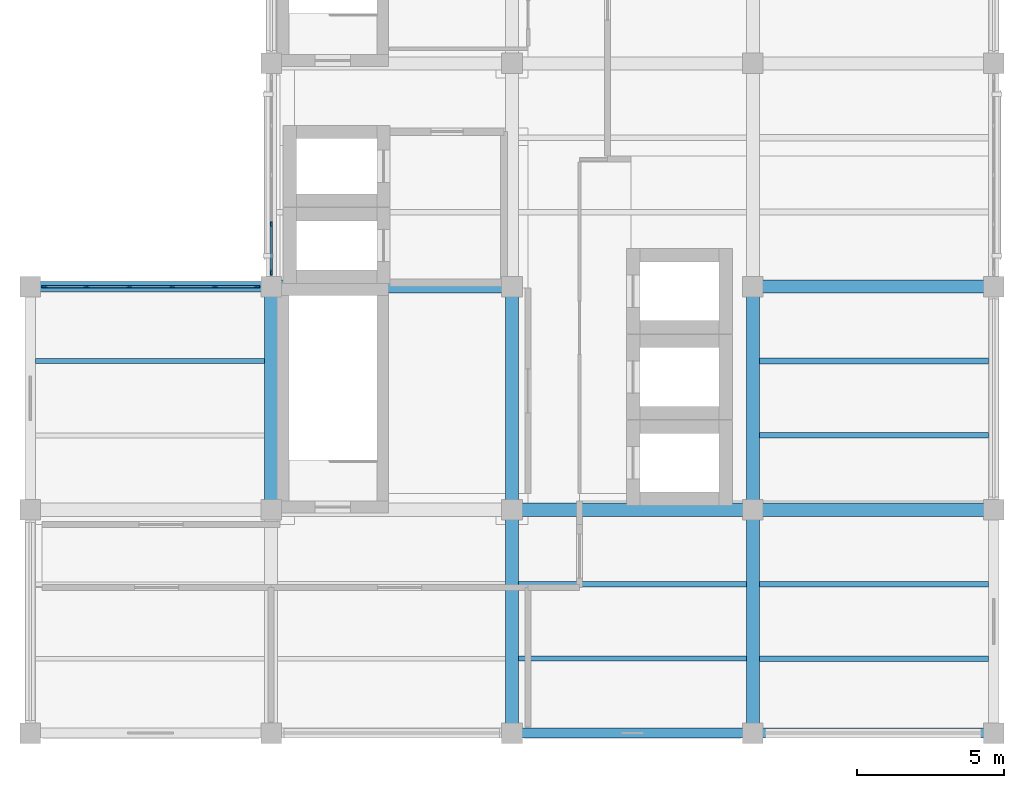
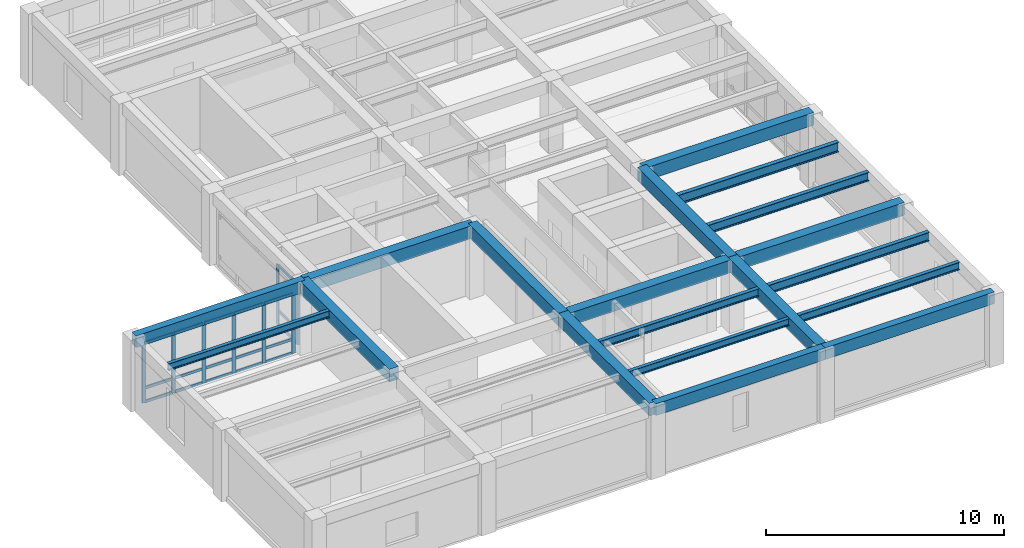
# One storey, part 2 of 8: 26 members, 19 beams, 2 elements without a shape of their own.
"""IFC4 building model written with IfcOpenShell, lengths in metres."""

from ifc_helpers import new_model, si_unit, direction, frame, origin, origin_2d, place, context, subcontext, project, spatial, rectangle, i_section, extrude, material, material_profile, profile_set, type_object, element, aggregate, save


model = new_model("IFC4")

# Units and contexts
model_context = context("Model", 3, precision=1e-05, world=origin(), true_north=direction((0.0, 1.0)))
body_context = subcontext(model_context, "Body", "Model", "MODEL_VIEW")
ifc_project = project(units=[si_unit("LENGTHUNIT", "METRE"), si_unit("AREAUNIT", "SQUARE_METRE"), si_unit("VOLUMEUNIT", "CUBIC_METRE"), si_unit("PLANEANGLEUNIT", "RADIAN"), si_unit("MASSUNIT", "GRAM", prefix="KILO")], contexts=[model_context])

# Site, building, storey
site_placement = place(None, origin())
site = spatial("IfcSite", under=ifc_project, at=site_placement, CompositionType="ELEMENT")
building_placement = place(site_placement, origin())
building = spatial("IfcBuilding", under=site, at=building_placement, Name="Qandaris Square Conservatory and Botanical Centre", CompositionType="ELEMENT")
storey_placement = place(building_placement, frame((0.0, 0.0, 70.199951171875)))
storey = spatial("IfcBuildingStorey", under=building, at=storey_placement, Name="L16", CompositionType="ELEMENT", Elevation=70.199951171875)

# Beams
ifc_material_1 = material(Name="Steel S355", Category="steel")
ifc_material_profile_1 = material_profile(ifc_material_1, i_section(OverallWidth=0.18994140625, OverallDepth=0.449951171875, WebThickness=0.009521484375, FlangeThickness=0.0146484375, FilletRadius=0.02099609375, at=origin_2d()), Name="IPE 450")
ifc_profile_set_1 = profile_set([ifc_material_profile_1], Name="Steel S355")
beam_type_1 = type_object("IfcBeamType", Name="Composite Archive Joist IPE 450", PredefinedType="JOIST", material=ifc_profile_set_1)
for number, where, z_axis, x_axis, name in (
    (1, (155.824951171875, 21.666748046875, 3.43505859375), (1.0, 0.0, 0.0), (0.0, 1.0, 0.0), "L16 Composite Joist 3033"),
    (2, (155.824951171875, 26.7333984375, 3.43505859375), (1.0, 0.0, 0.0), (0.0, 1.0, 0.0), "L16 Composite Joist 3034"),
):
    element("IfcBeam", number, at=place(storey_placement, frame(where, z_axis=z_axis, x_axis=x_axis)), inside=storey, type_object=beam_type_1, Name=name, PredefinedType="JOIST", context=body_context, shape_type="SweptSolid", body=[
        extrude(i_section(OverallWidth=0.18994140625, OverallDepth=0.449951171875, WebThickness=0.009521484375, FlangeThickness=0.0146484375, FilletRadius=0.02099609375, at=origin_2d()), origin(), (0.0, 0.0, 1.0), 7.800048828125),
    ])
ifc_material_profile_2 = material_profile(ifc_material_1, i_section(OverallWidth=0.199951171875, OverallDepth=0.5, WebThickness=0.01025390625, FlangeThickness=0.01611328125, FilletRadius=0.02099609375, at=origin_2d()), Name="IPE 500")
ifc_profile_set_2 = profile_set([ifc_material_profile_2], Name="Steel S355")
beam_type_2 = type_object("IfcBeamType", Name="Composite Gallery Joist IPE 500", PredefinedType="JOIST", material=ifc_profile_set_2)
beam_1_placement = place(storey_placement, frame((155.824951171875, 29.2666015625, 3.41015625), z_axis=(1.0, 0.0, 0.0), x_axis=(0.0, 1.0, 0.0)))
element("IfcBeam", 3, at=beam_1_placement, inside=storey, type_object=beam_type_2, Name="L16 Composite Joist 3035", PredefinedType="JOIST", context=body_context, shape_type="SweptSolid", body=[
    extrude(i_section(OverallWidth=0.199951171875, OverallDepth=0.5, WebThickness=0.01025390625, FlangeThickness=0.01611328125, FilletRadius=0.02099609375, at=origin_2d()), origin(), (0.0, 0.0, 1.0), 7.800048828125),
])
ifc_material_profile_3 = material_profile(ifc_material_1, i_section(OverallWidth=0.169921875, OverallDepth=0.360107421875, WebThickness=0.008056640625, FlangeThickness=0.0126953125, FilletRadius=0.01806640625, at=origin_2d()), Name="IPE 360")
ifc_profile_set_3 = profile_set([ifc_material_profile_3], Name="Steel S355")
beam_type_3 = type_object("IfcBeamType", Name="Composite Lab Joist IPE 360", PredefinedType="JOIST", material=ifc_profile_set_3)
beam_2_placement = place(storey_placement, frame((131.175048828125, 29.2666015625, 3.47998046875), z_axis=(1.0, 0.0, 0.0), x_axis=(0.0, 1.0, 0.0)))
element("IfcBeam", 4, at=beam_2_placement, inside=storey, type_object=beam_type_3, Name="L16 Composite Joist 3018", PredefinedType="JOIST", context=body_context, shape_type="SweptSolid", body=[
    extrude(i_section(OverallWidth=0.169921875, OverallDepth=0.360107421875, WebThickness=0.008056640625, FlangeThickness=0.0126953125, FilletRadius=0.01806640625, at=origin_2d()), origin(), (0.0, 0.0, 1.0), 7.800048828125),
])
beam_3_placement = place(storey_placement, frame((147.625, 19.13330078125, 3.47998046875), z_axis=(1.0, 0.0, 0.0), x_axis=(0.0, 1.0, 0.0)))
element("IfcBeam", 5, at=beam_3_placement, inside=storey, type_object=beam_type_3, Name="L16 Composite Joist 3024", PredefinedType="JOIST", context=body_context, shape_type="SweptSolid", body=[
    extrude(i_section(OverallWidth=0.169921875, OverallDepth=0.360107421875, WebThickness=0.008056640625, FlangeThickness=0.0126953125, FilletRadius=0.01806640625, at=origin_2d()), origin(), (0.0, 0.0, 1.0), 7.75),
])
ifc_material_profile_4 = material_profile(ifc_material_1, i_section(OverallWidth=0.179931640625, OverallDepth=0.39990234375, WebThickness=0.008544921875, FlangeThickness=0.013427734375, FilletRadius=0.02099609375, at=origin_2d()), Name="IPE 400")
ifc_profile_set_4 = profile_set([ifc_material_profile_4], Name="Steel S355")
beam_type_4 = type_object("IfcBeamType", Name="Composite Plinth Joist IPE 400", PredefinedType="JOIST", material=ifc_profile_set_4)
beam_4_placement = place(storey_placement, frame((147.625, 21.666748046875, 3.4599609375), z_axis=(1.0, 0.0, 0.0), x_axis=(0.0, 1.0, 0.0)))
element("IfcBeam", 6, at=beam_4_placement, inside=storey, type_object=beam_type_4, Name="L16 Composite Joist 3025", PredefinedType="JOIST", context=body_context, shape_type="SweptSolid", body=[
    extrude(i_section(OverallWidth=0.179931640625, OverallDepth=0.39990234375, WebThickness=0.008544921875, FlangeThickness=0.013427734375, FilletRadius=0.02099609375, at=origin_2d()), origin(), (0.0, 0.0, 1.0), 7.75),
])
beam_5_placement = place(storey_placement, frame((155.824951171875, 19.13330078125, 3.4599609375), z_axis=(1.0, 0.0, 0.0), x_axis=(0.0, 1.0, 0.0)))
element("IfcBeam", 7, at=beam_5_placement, inside=storey, type_object=beam_type_4, Name="L16 Composite Joist 3032", PredefinedType="JOIST", context=body_context, shape_type="SweptSolid", body=[
    extrude(i_section(OverallWidth=0.179931640625, OverallDepth=0.39990234375, WebThickness=0.008544921875, FlangeThickness=0.013427734375, FilletRadius=0.02099609375, at=origin_2d()), origin(), (0.0, 0.0, 1.0), 7.800048828125),
])

# Curtain wall, members
ifc_material_2 = material(Name="Anodised Aluminium", Category="aluminium")
curtain_wall_type_1 = type_object("IfcCurtainWallType", Name="Unitised Curtain Wall CW-4-670x307", PredefinedType="USERDEFINED", material=ifc_material_2)
curtain_wall_1_placement = place(storey_placement, origin())
curtain_wall_1 = element("IfcCurtainWall", 8, at=curtain_wall_1_placement, inside=storey, type_object=curtain_wall_type_1, Name="Curtain Wall CW-TWR-L16-4-3", ObjectType="GLAZED CURTAIN WALL", PredefinedType="USERDEFINED")
ifc_material_profile_5 = material_profile(ifc_material_2, rectangle(XDim=0.06494140625, YDim=0.179931640625, at=origin_2d()), Name="ALU-MUL 65x180")
ifc_profile_set_5 = profile_set([ifc_material_profile_5], Name="Anodised Aluminium")
member_type_1 = type_object("IfcMemberType", Name="Curtain Wall Mullion 65x180", PredefinedType="MULLION", material=ifc_profile_set_5)
member_1_placement = place(storey_placement, frame((139.199951171875, 33.925048828125, 0.0), z_axis=(0.0, 0.0, 1.0), x_axis=(1.0, 0.0, 0.0)))
member_1 = element("IfcMember", 9, at=member_1_placement, type_object=member_type_1, Name="CW-4-670x307 mullion 4", PredefinedType="MULLION", context=body_context, shape_type="SweptSolid", body=[
    extrude(rectangle(XDim=0.06494140625, YDim=0.179931640625, at=origin_2d()), origin(), (0.0, 0.0, 1.0), 3.070068359375),
])
member_2_placement = place(storey_placement, frame((139.199951171875, 32.282470703125, 0.0), z_axis=(0.0, 0.0, 1.0), x_axis=(1.0, 0.0, 0.0)))
member_2 = element("IfcMember", 10, at=member_2_placement, type_object=member_type_1, Name="CW-4-670x307 mullion 5", PredefinedType="MULLION", context=body_context, shape_type="SweptSolid", body=[
    extrude(rectangle(XDim=0.06494140625, YDim=0.179931640625, at=origin_2d()), origin(), (0.0, 0.0, 1.0), 3.070068359375),
])

curtain_wall_type_2 = type_object("IfcCurtainWallType", Name="Unitised Curtain Wall CW-4-730x307", PredefinedType="USERDEFINED", material=ifc_material_2)
curtain_wall_2_placement = place(storey_placement, origin())
curtain_wall_2 = element("IfcCurtainWall", 11, at=curtain_wall_2_placement, inside=storey, type_object=curtain_wall_type_2, Name="Curtain Wall CW-TWR-L16-5-1", ObjectType="GLAZED CURTAIN WALL", PredefinedType="USERDEFINED")
member_3_placement = place(storey_placement, frame((138.717529296875, 31.800048828125, 0.0), z_axis=(0.0, 0.0, 1.0), x_axis=(0.0, -1.0, 0.0)))
member_3 = element("IfcMember", 12, at=member_3_placement, type_object=member_type_1, Name="CW-4-730x307 mullion 1", PredefinedType="MULLION", context=body_context, shape_type="SweptSolid", body=[
    extrude(rectangle(XDim=0.06494140625, YDim=0.179931640625, at=origin_2d()), origin(), (0.0, 0.0, 1.0), 3.070068359375),
])
member_4_placement = place(storey_placement, frame((137.2900390625, 31.800048828125, 0.0), z_axis=(0.0, 0.0, 1.0), x_axis=(0.0, -1.0, 0.0)))
member_4 = element("IfcMember", 13, at=member_4_placement, type_object=member_type_1, Name="CW-4-730x307 mullion 2", PredefinedType="MULLION", context=body_context, shape_type="SweptSolid", body=[
    extrude(rectangle(XDim=0.06494140625, YDim=0.179931640625, at=origin_2d()), origin(), (0.0, 0.0, 1.0), 3.070068359375),
])
member_5_placement = place(storey_placement, frame((135.830078125, 31.800048828125, 0.0), z_axis=(0.0, 0.0, 1.0), x_axis=(0.0, -1.0, 0.0)))
member_5 = element("IfcMember", 14, at=member_5_placement, type_object=member_type_1, Name="CW-4-730x307 mullion 3", PredefinedType="MULLION", context=body_context, shape_type="SweptSolid", body=[
    extrude(rectangle(XDim=0.06494140625, YDim=0.179931640625, at=origin_2d()), origin(), (0.0, 0.0, 1.0), 3.070068359375),
])
member_6_placement = place(storey_placement, frame((134.3701171875, 31.800048828125, 0.0), z_axis=(0.0, 0.0, 1.0), x_axis=(0.0, -1.0, 0.0)))
member_6 = element("IfcMember", 15, at=member_6_placement, type_object=member_type_1, Name="CW-4-730x307 mullion 4", PredefinedType="MULLION", context=body_context, shape_type="SweptSolid", body=[
    extrude(rectangle(XDim=0.06494140625, YDim=0.179931640625, at=origin_2d()), origin(), (0.0, 0.0, 1.0), 3.070068359375),
])
member_7_placement = place(storey_placement, frame((132.909912109375, 31.800048828125, 0.0), z_axis=(0.0, 0.0, 1.0), x_axis=(0.0, -1.0, 0.0)))
member_7 = element("IfcMember", 16, at=member_7_placement, type_object=member_type_1, Name="CW-4-730x307 mullion 5", PredefinedType="MULLION", context=body_context, shape_type="SweptSolid", body=[
    extrude(rectangle(XDim=0.06494140625, YDim=0.179931640625, at=origin_2d()), origin(), (0.0, 0.0, 1.0), 3.070068359375),
])
member_8_placement = place(storey_placement, frame((131.482421875, 31.800048828125, 0.0), z_axis=(0.0, 0.0, 1.0), x_axis=(0.0, -1.0, 0.0)))
member_8 = element("IfcMember", 17, at=member_8_placement, type_object=member_type_1, Name="CW-4-730x307 mullion 6", PredefinedType="MULLION", context=body_context, shape_type="SweptSolid", body=[
    extrude(rectangle(XDim=0.06494140625, YDim=0.179931640625, at=origin_2d()), origin(), (0.0, 0.0, 1.0), 3.070068359375),
])

# Member
ifc_material_profile_6 = material_profile(ifc_material_2, rectangle(XDim=0.06494140625, YDim=0.139892578125, at=origin_2d()), Name="ALU-TRN 65x140")
ifc_profile_set_6 = profile_set([ifc_material_profile_6], Name="Anodised Aluminium")
member_type_2 = type_object("IfcMemberType", Name="Curtain Wall Transom 65x140", PredefinedType="USERDEFINED", material=ifc_profile_set_6)
member_9_placement = place(storey_placement, frame((139.199951171875, 33.892578125, 0.032470703125), z_axis=(0.0, -1.0, 0.0), x_axis=(1.0, 0.0, 0.0)))
member_9 = element("IfcMember", 18, at=member_9_placement, type_object=member_type_2, Name="CW-4-670x307 transom 4.1", ObjectType="TRANSOM", PredefinedType="USERDEFINED", context=body_context, shape_type="SweptSolid", body=[
    extrude(rectangle(XDim=0.06494140625, YDim=0.139892578125, at=origin_2d()), origin(), (0.0, 0.0, 1.0), 1.57763671875),
])

member_10_placement = place(storey_placement, frame((139.199951171875, 33.892578125, 0.73681640625), z_axis=(0.0, -1.0, 0.0), x_axis=(1.0, 0.0, 0.0)))
member_10 = element("IfcMember", 19, at=member_10_placement, type_object=member_type_2, Name="CW-4-670x307 transom 4.2", ObjectType="TRANSOM", PredefinedType="USERDEFINED", context=body_context, shape_type="SweptSolid", body=[
    extrude(rectangle(XDim=0.06494140625, YDim=0.139892578125, at=origin_2d()), origin(), (0.0, 0.0, 1.0), 1.57763671875),
])

member_11_placement = place(storey_placement, frame((139.199951171875, 33.892578125, 3.03759765625), z_axis=(0.0, -1.0, 0.0), x_axis=(1.0, 0.0, 0.0)))
member_11 = element("IfcMember", 20, at=member_11_placement, type_object=member_type_2, Name="CW-4-670x307 transom 4.3", ObjectType="TRANSOM", PredefinedType="USERDEFINED", context=body_context, shape_type="SweptSolid", body=[
    extrude(rectangle(XDim=0.06494140625, YDim=0.139892578125, at=origin_2d()), origin(), (0.0, 0.0, 1.0), 1.57763671875),
])

aggregate(curtain_wall_1, [member_1, member_2, member_9, member_10, member_11])

member_12_placement = place(storey_placement, frame((138.68505859375, 31.800048828125, 0.032470703125), z_axis=(-1.0, 0.0, 0.0), x_axis=(0.0, -1.0, 0.0)))
member_12 = element("IfcMember", 21, at=member_12_placement, type_object=member_type_2, Name="CW-4-730x307 transom 1.1", ObjectType="TRANSOM", PredefinedType="USERDEFINED", context=body_context, shape_type="SweptSolid", body=[
    extrude(rectangle(XDim=0.06494140625, YDim=0.139892578125, at=origin_2d()), origin(), (0.0, 0.0, 1.0), 1.362548828125),
])

member_13_placement = place(storey_placement, frame((138.68505859375, 31.800048828125, 0.73681640625), z_axis=(-1.0, 0.0, 0.0), x_axis=(0.0, -1.0, 0.0)))
member_13 = element("IfcMember", 22, at=member_13_placement, type_object=member_type_2, Name="CW-4-730x307 transom 1.2", ObjectType="TRANSOM", PredefinedType="USERDEFINED", context=body_context, shape_type="SweptSolid", body=[
    extrude(rectangle(XDim=0.06494140625, YDim=0.139892578125, at=origin_2d()), origin(), (0.0, 0.0, 1.0), 1.362548828125),
])

member_14_placement = place(storey_placement, frame((138.68505859375, 31.800048828125, 3.03759765625), z_axis=(-1.0, 0.0, 0.0), x_axis=(0.0, -1.0, 0.0)))
member_14 = element("IfcMember", 23, at=member_14_placement, type_object=member_type_2, Name="CW-4-730x307 transom 1.3", ObjectType="TRANSOM", PredefinedType="USERDEFINED", context=body_context, shape_type="SweptSolid", body=[
    extrude(rectangle(XDim=0.06494140625, YDim=0.139892578125, at=origin_2d()), origin(), (0.0, 0.0, 1.0), 1.362548828125),
])

member_15_placement = place(storey_placement, frame((137.257568359375, 31.800048828125, 0.032470703125), z_axis=(-1.0, 0.0, 0.0), x_axis=(0.0, -1.0, 0.0)))
member_15 = element("IfcMember", 24, at=member_15_placement, type_object=member_type_2, Name="CW-4-730x307 transom 2.1", ObjectType="TRANSOM", PredefinedType="USERDEFINED", context=body_context, shape_type="SweptSolid", body=[
    extrude(rectangle(XDim=0.06494140625, YDim=0.139892578125, at=origin_2d()), origin(), (0.0, 0.0, 1.0), 1.39501953125),
])

member_16_placement = place(storey_placement, frame((137.257568359375, 31.800048828125, 0.73681640625), z_axis=(-1.0, 0.0, 0.0), x_axis=(0.0, -1.0, 0.0)))
member_16 = element("IfcMember", 25, at=member_16_placement, type_object=member_type_2, Name="CW-4-730x307 transom 2.2", ObjectType="TRANSOM", PredefinedType="USERDEFINED", context=body_context, shape_type="SweptSolid", body=[
    extrude(rectangle(XDim=0.06494140625, YDim=0.139892578125, at=origin_2d()), origin(), (0.0, 0.0, 1.0), 1.39501953125),
])

member_17_placement = place(storey_placement, frame((137.257568359375, 31.800048828125, 3.03759765625), z_axis=(-1.0, 0.0, 0.0), x_axis=(0.0, -1.0, 0.0)))
member_17 = element("IfcMember", 26, at=member_17_placement, type_object=member_type_2, Name="CW-4-730x307 transom 2.3", ObjectType="TRANSOM", PredefinedType="USERDEFINED", context=body_context, shape_type="SweptSolid", body=[
    extrude(rectangle(XDim=0.06494140625, YDim=0.139892578125, at=origin_2d()), origin(), (0.0, 0.0, 1.0), 1.39501953125),
])

member_18_placement = place(storey_placement, frame((135.797607421875, 31.800048828125, 0.032470703125), z_axis=(-1.0, 0.0, 0.0), x_axis=(0.0, -1.0, 0.0)))
member_18 = element("IfcMember", 27, at=member_18_placement, type_object=member_type_2, Name="CW-4-730x307 transom 3.1", ObjectType="TRANSOM", PredefinedType="USERDEFINED", context=body_context, shape_type="SweptSolid", body=[
    extrude(rectangle(XDim=0.06494140625, YDim=0.139892578125, at=origin_2d()), origin(), (0.0, 0.0, 1.0), 1.39501953125),
])

member_19_placement = place(storey_placement, frame((135.797607421875, 31.800048828125, 0.73681640625), z_axis=(-1.0, 0.0, 0.0), x_axis=(0.0, -1.0, 0.0)))
member_19 = element("IfcMember", 28, at=member_19_placement, type_object=member_type_2, Name="CW-4-730x307 transom 3.2", ObjectType="TRANSOM", PredefinedType="USERDEFINED", context=body_context, shape_type="SweptSolid", body=[
    extrude(rectangle(XDim=0.06494140625, YDim=0.139892578125, at=origin_2d()), origin(), (0.0, 0.0, 1.0), 1.39501953125),
])

member_20_placement = place(storey_placement, frame((135.797607421875, 31.800048828125, 3.03759765625), z_axis=(-1.0, 0.0, 0.0), x_axis=(0.0, -1.0, 0.0)))
member_20 = element("IfcMember", 29, at=member_20_placement, type_object=member_type_2, Name="CW-4-730x307 transom 3.3", ObjectType="TRANSOM", PredefinedType="USERDEFINED", context=body_context, shape_type="SweptSolid", body=[
    extrude(rectangle(XDim=0.06494140625, YDim=0.139892578125, at=origin_2d()), origin(), (0.0, 0.0, 1.0), 1.39501953125),
])

member_21_placement = place(storey_placement, frame((134.33740234375, 31.800048828125, 0.032470703125), z_axis=(-1.0, 0.0, 0.0), x_axis=(0.0, -1.0, 0.0)))
member_21 = element("IfcMember", 30, at=member_21_placement, type_object=member_type_2, Name="CW-4-730x307 transom 4.1", ObjectType="TRANSOM", PredefinedType="USERDEFINED", context=body_context, shape_type="SweptSolid", body=[
    extrude(rectangle(XDim=0.06494140625, YDim=0.139892578125, at=origin_2d()), origin(), (0.0, 0.0, 1.0), 1.39501953125),
])

member_22_placement = place(storey_placement, frame((134.33740234375, 31.800048828125, 0.73681640625), z_axis=(-1.0, 0.0, 0.0), x_axis=(0.0, -1.0, 0.0)))
member_22 = element("IfcMember", 31, at=member_22_placement, type_object=member_type_2, Name="CW-4-730x307 transom 4.2", ObjectType="TRANSOM", PredefinedType="USERDEFINED", context=body_context, shape_type="SweptSolid", body=[
    extrude(rectangle(XDim=0.06494140625, YDim=0.139892578125, at=origin_2d()), origin(), (0.0, 0.0, 1.0), 1.39501953125),
])

member_23_placement = place(storey_placement, frame((134.33740234375, 31.800048828125, 3.03759765625), z_axis=(-1.0, 0.0, 0.0), x_axis=(0.0, -1.0, 0.0)))
member_23 = element("IfcMember", 32, at=member_23_placement, type_object=member_type_2, Name="CW-4-730x307 transom 4.3", ObjectType="TRANSOM", PredefinedType="USERDEFINED", context=body_context, shape_type="SweptSolid", body=[
    extrude(rectangle(XDim=0.06494140625, YDim=0.139892578125, at=origin_2d()), origin(), (0.0, 0.0, 1.0), 1.39501953125),
])

member_24_placement = place(storey_placement, frame((132.87744140625, 31.800048828125, 0.032470703125), z_axis=(-1.0, 0.0, 0.0), x_axis=(0.0, -1.0, 0.0)))
member_24 = element("IfcMember", 33, at=member_24_placement, type_object=member_type_2, Name="CW-4-730x307 transom 5.1", ObjectType="TRANSOM", PredefinedType="USERDEFINED", context=body_context, shape_type="SweptSolid", body=[
    extrude(rectangle(XDim=0.06494140625, YDim=0.139892578125, at=origin_2d()), origin(), (0.0, 0.0, 1.0), 1.362548828125),
])

member_25_placement = place(storey_placement, frame((132.87744140625, 31.800048828125, 0.73681640625), z_axis=(-1.0, 0.0, 0.0), x_axis=(0.0, -1.0, 0.0)))
member_25 = element("IfcMember", 34, at=member_25_placement, type_object=member_type_2, Name="CW-4-730x307 transom 5.2", ObjectType="TRANSOM", PredefinedType="USERDEFINED", context=body_context, shape_type="SweptSolid", body=[
    extrude(rectangle(XDim=0.06494140625, YDim=0.139892578125, at=origin_2d()), origin(), (0.0, 0.0, 1.0), 1.362548828125),
])

member_26_placement = place(storey_placement, frame((132.87744140625, 31.800048828125, 3.03759765625), z_axis=(-1.0, 0.0, 0.0), x_axis=(0.0, -1.0, 0.0)))
member_26 = element("IfcMember", 35, at=member_26_placement, type_object=member_type_2, Name="CW-4-730x307 transom 5.3", ObjectType="TRANSOM", PredefinedType="USERDEFINED", context=body_context, shape_type="SweptSolid", body=[
    extrude(rectangle(XDim=0.06494140625, YDim=0.139892578125, at=origin_2d()), origin(), (0.0, 0.0, 1.0), 1.362548828125),
])

aggregate(curtain_wall_2, [member_3, member_4, member_5, member_6, member_7, member_8, member_12, member_13, member_14, member_15, member_16, member_17, member_18, member_19, member_20, member_21, member_22, member_23, member_24, member_25, member_26])

# Beams
ifc_material_3 = material(Name="Concrete C50/60", Category="concrete")
ifc_material_profile_7 = material_profile(ifc_material_3, rectangle(XDim=0.35009765625, YDim=0.60009765625, at=origin_2d()), Name="RC-SP 350x600")
ifc_profile_set_7 = profile_set([ifc_material_profile_7], Name="Concrete C50/60")
beam_type_5 = type_object("IfcBeamType", Name="RC Edge Spandrel Beam 350x600", PredefinedType="SPANDREL", material=ifc_profile_set_7)
beam_6_placement = place(storey_placement, frame((147.39990234375, 16.60009765625, 3.3701171875), z_axis=(1.0, 0.0, 0.0), x_axis=(0.0, 1.0, 0.0)))
element("IfcBeam", 36, at=beam_6_placement, inside=storey, type_object=beam_type_5, Name="L16 Frame Beam 2975", PredefinedType="SPANDREL", context=body_context, shape_type="SweptSolid", body=[
    extrude(rectangle(XDim=0.35009765625, YDim=0.60009765625, at=origin_2d()), origin(), (0.0, 0.0, 1.0), 8.2001953125),
])
for number, where, z_axis, x_axis, name in (
    (37, (155.60009765625, 16.60009765625, 3.3701171875), (1.0, 0.0, 0.0), (0.0, 1.0, 0.0), "L16 Frame Beam 2976"),
    (38, (131.0, 31.800048828125, 3.3701171875), (1.0, 0.0, 0.0), (0.0, 1.0, 0.0), "L16 Frame Beam 2981"),
):
    element("IfcBeam", number, at=place(storey_placement, frame(where, z_axis=z_axis, x_axis=x_axis)), inside=storey, type_object=beam_type_5, Name=name, PredefinedType="SPANDREL", context=body_context, shape_type="SweptSolid", body=[
        extrude(rectangle(XDim=0.35009765625, YDim=0.60009765625, at=origin_2d()), origin(), (0.0, 0.0, 1.0), 8.199951171875),
    ])
ifc_material_profile_8 = material_profile(ifc_material_3, rectangle(XDim=0.449951171875, YDim=0.64990234375, at=origin_2d()), Name="RC-BM 450x650")
ifc_profile_set_8 = profile_set([ifc_material_profile_8], Name="Concrete C50/60")
beam_type_6 = type_object("IfcBeamType", Name="RC Floor Girder 450x650", PredefinedType="BEAM", material=ifc_profile_set_8)
beam_7_placement = place(storey_placement, frame((147.39990234375, 24.199951171875, 3.344970703125), z_axis=(1.0, 0.0, 0.0), x_axis=(0.0, 1.0, 0.0)))
element("IfcBeam", 39, at=beam_7_placement, inside=storey, type_object=beam_type_6, Name="L16 Frame Beam 2979", PredefinedType="BEAM", context=body_context, shape_type="SweptSolid", body=[
    extrude(rectangle(XDim=0.449951171875, YDim=0.64990234375, at=origin_2d()), origin(), (0.0, 0.0, 1.0), 8.2001953125),
])
for number, where, z_axis, x_axis, name in (
    (40, (155.60009765625, 24.199951171875, 3.344970703125), (1.0, 0.0, 0.0), (0.0, 1.0, 0.0), "L16 Frame Beam 2980"),
    (41, (139.199951171875, 31.800048828125, 3.344970703125), (1.0, 0.0, 0.0), (0.0, 1.0, 0.0), "L16 Frame Beam 2982"),
    (42, (155.60009765625, 31.800048828125, 3.344970703125), (1.0, 0.0, 0.0), (0.0, 1.0, 0.0), "L16 Frame Beam 2983"),
):
    element("IfcBeam", number, at=place(storey_placement, frame(where, z_axis=z_axis, x_axis=x_axis)), inside=storey, type_object=beam_type_6, Name=name, PredefinedType="BEAM", context=body_context, shape_type="SweptSolid", body=[
        extrude(rectangle(XDim=0.449951171875, YDim=0.64990234375, at=origin_2d()), origin(), (0.0, 0.0, 1.0), 8.199951171875),
    ])
beam_8_placement = place(storey_placement, frame((139.199951171875, 24.199951171875, 3.344970703125), z_axis=(0.0, 1.0, 0.0), x_axis=(-1.0, 0.0, 0.0)))
element("IfcBeam", 43, at=beam_8_placement, inside=storey, type_object=beam_type_6, Name="L16 Frame Beam 2996", PredefinedType="BEAM", context=body_context, shape_type="SweptSolid", body=[
    extrude(rectangle(XDim=0.449951171875, YDim=0.64990234375, at=origin_2d()), origin(), (0.0, 0.0, 1.0), 7.60009765625),
])
beam_9_placement = place(storey_placement, frame((147.39990234375, 16.60009765625, 3.344970703125), z_axis=(0.0, 1.0, 0.0), x_axis=(-1.0, 0.0, 0.0)))
element("IfcBeam", 44, at=beam_9_placement, inside=storey, type_object=beam_type_6, Name="L16 Frame Beam 3000", PredefinedType="BEAM", context=body_context, shape_type="SweptSolid", body=[
    extrude(rectangle(XDim=0.449951171875, YDim=0.64990234375, at=origin_2d()), origin(), (0.0, 0.0, 1.0), 7.599853515625),
])
beam_10_placement = place(storey_placement, frame((147.39990234375, 24.199951171875, 3.344970703125), z_axis=(0.0, 1.0, 0.0), x_axis=(-1.0, 0.0, 0.0)))
element("IfcBeam", 45, at=beam_10_placement, inside=storey, type_object=beam_type_6, Name="L16 Frame Beam 3001", PredefinedType="BEAM", context=body_context, shape_type="SweptSolid", body=[
    extrude(rectangle(XDim=0.449951171875, YDim=0.64990234375, at=origin_2d()), origin(), (0.0, 0.0, 1.0), 7.60009765625),
])
beam_11_placement = place(storey_placement, frame((155.60009765625, 16.60009765625, 3.344970703125), z_axis=(0.0, 1.0, 0.0), x_axis=(-1.0, 0.0, 0.0)))
element("IfcBeam", 46, at=beam_11_placement, inside=storey, type_object=beam_type_6, Name="L16 Frame Beam 3005", PredefinedType="BEAM", context=body_context, shape_type="SweptSolid", body=[
    extrude(rectangle(XDim=0.449951171875, YDim=0.64990234375, at=origin_2d()), origin(), (0.0, 0.0, 1.0), 7.599853515625),
])
beam_12_placement = place(storey_placement, frame((155.60009765625, 24.199951171875, 3.344970703125), z_axis=(0.0, 1.0, 0.0), x_axis=(-1.0, 0.0, 0.0)))
element("IfcBeam", 47, at=beam_12_placement, inside=storey, type_object=beam_type_6, Name="L16 Frame Beam 3006", PredefinedType="BEAM", context=body_context, shape_type="SweptSolid", body=[
    extrude(rectangle(XDim=0.449951171875, YDim=0.64990234375, at=origin_2d()), origin(), (0.0, 0.0, 1.0), 7.60009765625),
])

save(model, "model.ifc")
